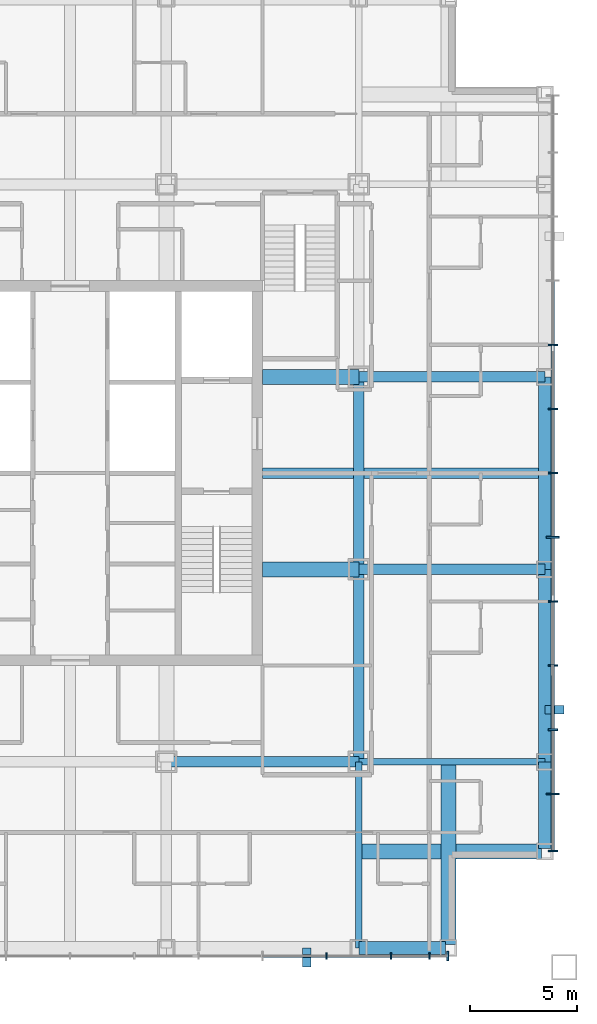
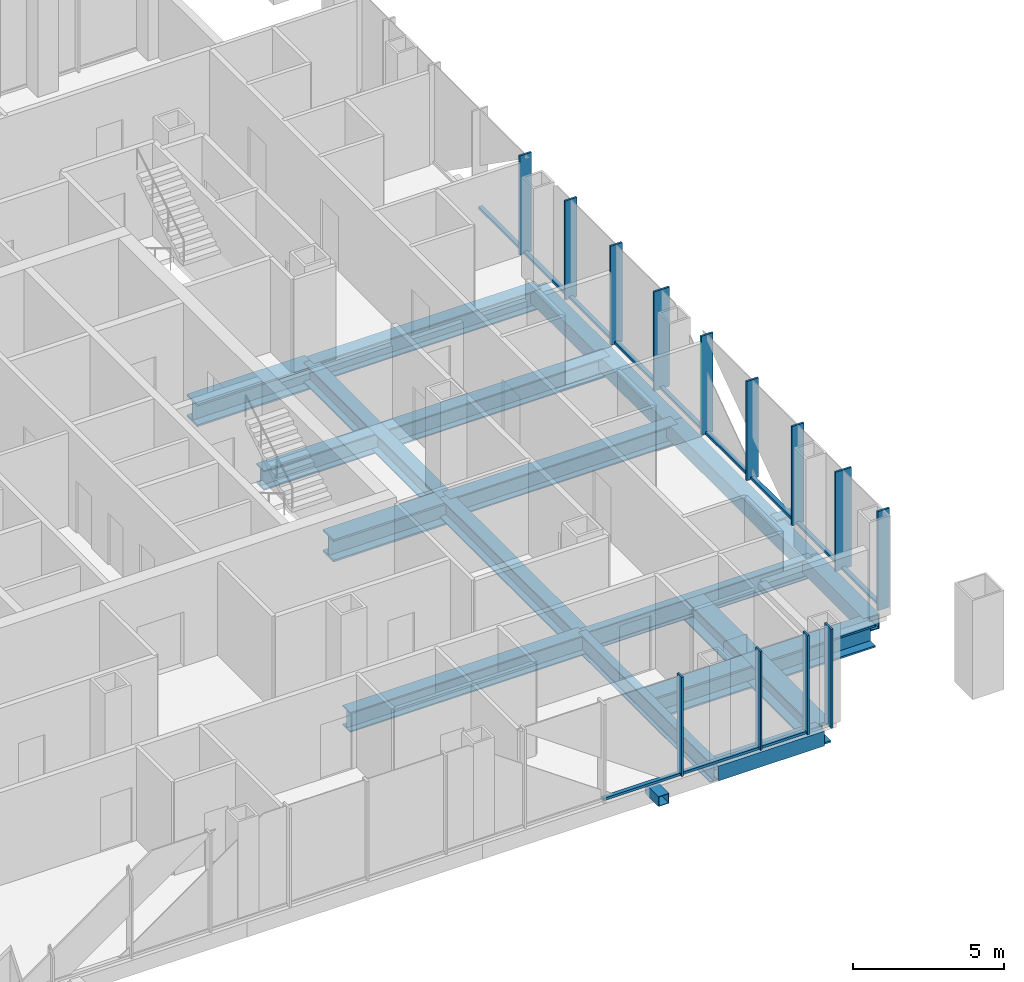
# One storey, part 3 of 17: 27 members, 16 beams, 2 elements without a shape of their own.
"""IFC4 building model written with IfcOpenShell, lengths in metres."""

from ifc_helpers import new_model, si_unit, direction, frame, origin, origin_2d, place, context, subcontext, project, spatial, rectangle, hollow_rectangle, i_section, extrude, material, layer, layer_set, material_profile, profile_set, type_object, element, aggregate, save


model = new_model("IFC4")

# Units and contexts
model_context = context("Model", 3, precision=1e-05, world=origin(), true_north=direction((0.0, 1.0)))
body_context = subcontext(model_context, "Body", "Model", "MODEL_VIEW")
ifc_project = project(units=[si_unit("LENGTHUNIT", "METRE"), si_unit("AREAUNIT", "SQUARE_METRE"), si_unit("VOLUMEUNIT", "CUBIC_METRE"), si_unit("PLANEANGLEUNIT", "RADIAN"), si_unit("MASSUNIT", "GRAM", prefix="KILO")], contexts=[model_context])

# Site, building, storey
site_placement = place(None, origin())
site = spatial("IfcSite", under=ifc_project, at=site_placement, CompositionType="ELEMENT")
building_placement = place(site_placement, origin())
building = spatial("IfcBuilding", under=site, at=building_placement, Name="Malebo Sky Hospital", CompositionType="ELEMENT")
storey_placement = place(building_placement, frame((0.0, 0.0, 185.0)))
storey = spatial("IfcBuildingStorey", under=building, at=storey_placement, Name="L44", CompositionType="ELEMENT", Elevation=185.0)

# Curtain wall, members
ifc_material_1 = material(Name="Anodised aluminium, natural silver", Category="aluminium")
ifc_layer_1 = layer(ifc_material_1, 0.25)
ifc_layer_set_1 = layer_set([ifc_layer_1], Name="WARD CURTAIN WALL NORTH AND SOUTH")
curtain_wall_type_1 = type_object("IfcCurtainWallType", Name="WARD CURTAIN WALL NORTH AND SOUTH", PredefinedType="NOTDEFINED", material=ifc_layer_set_1)
curtain_wall_1_placement = place(storey_placement, origin())
curtain_wall_1 = element("IfcCurtainWall", 1, at=curtain_wall_1_placement, inside=storey, type_object=curtain_wall_type_1, Name="NS curtain wall S", PredefinedType="NOTDEFINED")
ifc_material_profile_1 = material_profile(ifc_material_1, rectangle(XDim=0.14990234375, YDim=0.10009765625, at=origin_2d()), Name="ALUMINIUM TRANSOM 150x100")
ifc_profile_set_1 = profile_set([ifc_material_profile_1], Name="Anodised aluminium, natural silver")
member_type_1 = type_object("IfcMemberType", Name="ALUMINIUM TRANSOM 150x100", PredefinedType="USERDEFINED", material=ifc_profile_set_1)
member_1_placement = place(storey_placement, frame((76.762451171875, 39.425048828125, 0.050048828125), z_axis=(-1.0, 0.0, 0.0), x_axis=(0.0, -1.0, 0.0)))
member_1 = element("IfcMember", 2, at=member_1_placement, type_object=member_type_1, Name="Transom 2", ObjectType="TRANSOM", PredefinedType="USERDEFINED", context=body_context, shape_type="SweptSolid", body=[
    extrude(rectangle(XDim=0.14990234375, YDim=0.10009765625, at=origin_2d()), origin(), (0.0, 0.0, 1.0), 1.724853515625),
])
member_2_placement = place(storey_placement, frame((74.96240234375, 39.425048828125, 0.050048828125), z_axis=(-1.0, 0.0, 0.0), x_axis=(0.0, -1.0, 0.0)))
member_2 = element("IfcMember", 3, at=member_2_placement, type_object=member_type_1, Name="Transom 3", ObjectType="TRANSOM", PredefinedType="USERDEFINED", context=body_context, shape_type="SweptSolid", body=[
    extrude(rectangle(XDim=0.14990234375, YDim=0.10009765625, at=origin_2d()), origin(), (0.0, 0.0, 1.0), 2.9248046875),
])
member_3_placement = place(storey_placement, frame((71.96240234375, 39.425048828125, 0.050048828125), z_axis=(-1.0, 0.0, 0.0), x_axis=(0.0, -1.0, 0.0)))
member_3 = element("IfcMember", 4, at=member_3_placement, type_object=member_type_1, Name="Transom 4", ObjectType="TRANSOM", PredefinedType="USERDEFINED", context=body_context, shape_type="SweptSolid", body=[
    extrude(rectangle(XDim=0.14990234375, YDim=0.10009765625, at=origin_2d()), origin(), (0.0, 0.0, 1.0), 2.9248046875),
])

ifc_layer_2 = layer(ifc_material_1, 0.25)
ifc_layer_set_2 = layer_set([ifc_layer_2], Name="WARD CURTAIN WALL EAST AND WEST")
curtain_wall_type_2 = type_object("IfcCurtainWallType", Name="WARD CURTAIN WALL EAST AND WEST", PredefinedType="NOTDEFINED", material=ifc_layer_set_2)
curtain_wall_2_placement = place(storey_placement, origin())
curtain_wall_2 = element("IfcCurtainWall", 5, at=curtain_wall_2_placement, inside=storey, type_object=curtain_wall_type_2, Name="EW curtain wall E", PredefinedType="NOTDEFINED")
member_4_placement = place(storey_placement, frame((82.574951171875, 70.96240234375, 0.050048828125), z_axis=(0.0, -1.0, 0.0), x_axis=(1.0, 0.0, 0.0)))
member_4 = element("IfcMember", 6, at=member_4_placement, type_object=member_type_1, Name="Transom 5", ObjectType="TRANSOM", PredefinedType="USERDEFINED", context=body_context, shape_type="SweptSolid", body=[
    extrude(rectangle(XDim=0.14990234375, YDim=0.10009765625, at=origin_2d()), origin(), (0.0, 0.0, 1.0), 2.9248046875),
])
member_5_placement = place(storey_placement, frame((82.574951171875, 67.96240234375, 0.050048828125), z_axis=(0.0, -1.0, 0.0), x_axis=(1.0, 0.0, 0.0)))
member_5 = element("IfcMember", 7, at=member_5_placement, type_object=member_type_1, Name="Transom 6", ObjectType="TRANSOM", PredefinedType="USERDEFINED", context=body_context, shape_type="SweptSolid", body=[
    extrude(rectangle(XDim=0.14990234375, YDim=0.10009765625, at=origin_2d()), origin(), (0.0, 0.0, 1.0), 2.9248046875),
])
member_6_placement = place(storey_placement, frame((82.574951171875, 64.96240234375, 0.050048828125), z_axis=(0.0, -1.0, 0.0), x_axis=(1.0, 0.0, 0.0)))
member_6 = element("IfcMember", 8, at=member_6_placement, type_object=member_type_1, Name="Transom 7", ObjectType="TRANSOM", PredefinedType="USERDEFINED", context=body_context, shape_type="SweptSolid", body=[
    extrude(rectangle(XDim=0.14990234375, YDim=0.10009765625, at=origin_2d()), origin(), (0.0, 0.0, 1.0), 2.9248046875),
])
member_7_placement = place(storey_placement, frame((82.574951171875, 61.96240234375, 0.050048828125), z_axis=(0.0, -1.0, 0.0), x_axis=(1.0, 0.0, 0.0)))
member_7 = element("IfcMember", 9, at=member_7_placement, type_object=member_type_1, Name="Transom 8", ObjectType="TRANSOM", PredefinedType="USERDEFINED", context=body_context, shape_type="SweptSolid", body=[
    extrude(rectangle(XDim=0.14990234375, YDim=0.10009765625, at=origin_2d()), origin(), (0.0, 0.0, 1.0), 2.9248046875),
])
member_8_placement = place(storey_placement, frame((82.574951171875, 58.96240234375, 0.050048828125), z_axis=(0.0, -1.0, 0.0), x_axis=(1.0, 0.0, 0.0)))
member_8 = element("IfcMember", 10, at=member_8_placement, type_object=member_type_1, Name="Transom 9", ObjectType="TRANSOM", PredefinedType="USERDEFINED", context=body_context, shape_type="SweptSolid", body=[
    extrude(rectangle(XDim=0.14990234375, YDim=0.10009765625, at=origin_2d()), origin(), (0.0, 0.0, 1.0), 2.9248046875),
])
member_9_placement = place(storey_placement, frame((82.574951171875, 55.96240234375, 0.050048828125), z_axis=(0.0, -1.0, 0.0), x_axis=(1.0, 0.0, 0.0)))
member_9 = element("IfcMember", 11, at=member_9_placement, type_object=member_type_1, Name="Transom 10", ObjectType="TRANSOM", PredefinedType="USERDEFINED", context=body_context, shape_type="SweptSolid", body=[
    extrude(rectangle(XDim=0.14990234375, YDim=0.10009765625, at=origin_2d()), origin(), (0.0, 0.0, 1.0), 2.9248046875),
])
member_10_placement = place(storey_placement, frame((82.574951171875, 52.96240234375, 0.050048828125), z_axis=(0.0, -1.0, 0.0), x_axis=(1.0, 0.0, 0.0)))
member_10 = element("IfcMember", 12, at=member_10_placement, type_object=member_type_1, Name="Transom 11", ObjectType="TRANSOM", PredefinedType="USERDEFINED", context=body_context, shape_type="SweptSolid", body=[
    extrude(rectangle(XDim=0.14990234375, YDim=0.10009765625, at=origin_2d()), origin(), (0.0, 0.0, 1.0), 2.9248046875),
])
member_11_placement = place(storey_placement, frame((82.574951171875, 49.96240234375, 0.050048828125), z_axis=(0.0, -1.0, 0.0), x_axis=(1.0, 0.0, 0.0)))
member_11 = element("IfcMember", 13, at=member_11_placement, type_object=member_type_1, Name="Transom 12", ObjectType="TRANSOM", PredefinedType="USERDEFINED", context=body_context, shape_type="SweptSolid", body=[
    extrude(rectangle(XDim=0.14990234375, YDim=0.10009765625, at=origin_2d()), origin(), (0.0, 0.0, 1.0), 2.9248046875),
])
member_12_placement = place(storey_placement, frame((82.574951171875, 46.96240234375, 0.050048828125), z_axis=(0.0, -1.0, 0.0), x_axis=(1.0, 0.0, 0.0)))
member_12 = element("IfcMember", 14, at=member_12_placement, type_object=member_type_1, Name="Transom 13", ObjectType="TRANSOM", PredefinedType="USERDEFINED", context=body_context, shape_type="SweptSolid", body=[
    extrude(rectangle(XDim=0.14990234375, YDim=0.10009765625, at=origin_2d()), origin(), (0.0, 0.0, 1.0), 2.58740234375),
])

# Members
ifc_material_2 = material(Name="Steel S355", Category="steel")
ifc_material_profile_2 = material_profile(ifc_material_2, hollow_rectangle(XDim=0.39990234375, YDim=0.39990234375, WallThickness=0.02001953125, at=origin_2d()), Name="SHS 400x20")
ifc_profile_set_2 = profile_set([ifc_material_profile_2], Name="Steel S355")
member_type_2 = type_object("IfcMemberType", Name="BRACE STRUT SHS 400x20", PredefinedType="STRUT", material=ifc_profile_set_2)
for number, where, z_axis, x_axis, name in (
    (15, (71.069580078125, 38.89990234375, -0.39990234375), (0.0, 1.0, 0.0), (-1.0, 0.0, 0.0), "Brace strut CS2 L44"),
    (16, (83.10009765625, 50.930419921875, -0.39990234375), (-1.0, 0.0, 0.0), (0.0, -1.0, 0.0), "Brace strut CE1 L44"),
):
    element("IfcMember", number, at=place(storey_placement, frame(where, z_axis=z_axis, x_axis=x_axis)), inside=storey, type_object=member_type_2, Name=name, PredefinedType="STRUT", context=body_context, shape_type="SweptSolid", body=[
        extrude(hollow_rectangle(XDim=0.39990234375, YDim=0.39990234375, WallThickness=0.02001953125, at=origin_2d()), origin(), (0.0, 0.0, 1.0), 0.900146484375),
    ])

# Member
ifc_material_profile_3 = material_profile(ifc_material_1, rectangle(XDim=0.074951171875, YDim=0.300048828125, at=origin_2d()), Name="CW1 ALUMINIUM FIN MULLION 75x300")
ifc_profile_set_3 = profile_set([ifc_material_profile_3], Name="Anodised aluminium, natural silver")
member_type_3 = type_object("IfcMemberType", Name="CW1 ALUMINIUM FIN MULLION 75x300", PredefinedType="MULLION", material=ifc_profile_set_3)
member_13_placement = place(storey_placement, frame((76.800048828125, 39.425048828125, 0.0), z_axis=(0.0, 0.0, 1.0), x_axis=(-1.0, 0.0, 0.0)))
member_13 = element("IfcMember", 17, at=member_13_placement, type_object=member_type_3, Name="Fin mullion 2", PredefinedType="MULLION", context=body_context, shape_type="SweptSolid", body=[
    extrude(rectangle(XDim=0.074951171875, YDim=0.300048828125, at=origin_2d()), origin(), (0.0, 0.0, 1.0), 4.0),
])

member_14_placement = place(storey_placement, frame((75.0, 39.425048828125, 0.0), z_axis=(0.0, 0.0, 1.0), x_axis=(-1.0, 0.0, 0.0)))
member_14 = element("IfcMember", 18, at=member_14_placement, type_object=member_type_3, Name="Fin mullion 3", PredefinedType="MULLION", context=body_context, shape_type="SweptSolid", body=[
    extrude(rectangle(XDim=0.074951171875, YDim=0.300048828125, at=origin_2d()), origin(), (0.0, 0.0, 1.0), 4.0),
])

member_15_placement = place(storey_placement, frame((72.0, 39.425048828125, 0.0), z_axis=(0.0, 0.0, 1.0), x_axis=(-1.0, 0.0, 0.0)))
member_15 = element("IfcMember", 19, at=member_15_placement, type_object=member_type_3, Name="Fin mullion 4", PredefinedType="MULLION", context=body_context, shape_type="SweptSolid", body=[
    extrude(rectangle(XDim=0.074951171875, YDim=0.300048828125, at=origin_2d()), origin(), (0.0, 0.0, 1.0), 4.0),
])

ifc_material_profile_4 = material_profile(ifc_material_1, rectangle(XDim=0.074951171875, YDim=0.449951171875, at=origin_2d()), Name="CW1 ALUMINIUM FIN MULLION 75x450")
ifc_profile_set_4 = profile_set([ifc_material_profile_4], Name="Anodised aluminium, natural silver")
member_type_4 = type_object("IfcMemberType", Name="CW1 ALUMINIUM FIN MULLION 75x450", PredefinedType="MULLION", material=ifc_profile_set_4)
member_16_placement = place(storey_placement, frame((77.66259765625, 39.425048828125, 0.0), z_axis=(0.0, 0.0, 1.0), x_axis=(-1.0, 0.0, 0.0)))
member_16 = element("IfcMember", 20, at=member_16_placement, type_object=member_type_4, Name="Fin mullion 1", PredefinedType="MULLION", context=body_context, shape_type="SweptSolid", body=[
    extrude(rectangle(XDim=0.074951171875, YDim=0.449951171875, at=origin_2d()), origin(), (0.0, 0.0, 1.0), 4.0),
])

aggregate(curtain_wall_1, [member_16, member_13, member_14, member_15, member_1, member_2, member_3])

ifc_material_profile_5 = material_profile(ifc_material_1, rectangle(XDim=0.074951171875, YDim=0.449951171875, at=origin_2d()), Name="CW2 ALUMINIUM FIN MULLION 75x450")
ifc_profile_set_5 = profile_set([ifc_material_profile_5], Name="Anodised aluminium, natural silver")
member_type_5 = type_object("IfcMemberType", Name="CW2 ALUMINIUM FIN MULLION 75x450", PredefinedType="MULLION", material=ifc_profile_set_5)
member_17_placement = place(storey_placement, frame((82.574951171875, 68.0, 0.0), z_axis=(0.0, 0.0, 1.0), x_axis=(0.0, -1.0, 0.0)))
member_17 = element("IfcMember", 21, at=member_17_placement, type_object=member_type_5, Name="Fin mullion 6", PredefinedType="MULLION", context=body_context, shape_type="SweptSolid", body=[
    extrude(rectangle(XDim=0.074951171875, YDim=0.449951171875, at=origin_2d()), origin(), (0.0, 0.0, 1.0), 4.0),
])

member_18_placement = place(storey_placement, frame((82.574951171875, 65.0, 0.0), z_axis=(0.0, 0.0, 1.0), x_axis=(0.0, -1.0, 0.0)))
member_18 = element("IfcMember", 22, at=member_18_placement, type_object=member_type_5, Name="Fin mullion 7", PredefinedType="MULLION", context=body_context, shape_type="SweptSolid", body=[
    extrude(rectangle(XDim=0.074951171875, YDim=0.449951171875, at=origin_2d()), origin(), (0.0, 0.0, 1.0), 4.0),
])

member_19_placement = place(storey_placement, frame((82.574951171875, 62.0, 0.0), z_axis=(0.0, 0.0, 1.0), x_axis=(0.0, -1.0, 0.0)))
member_19 = element("IfcMember", 23, at=member_19_placement, type_object=member_type_5, Name="Fin mullion 8", PredefinedType="MULLION", context=body_context, shape_type="SweptSolid", body=[
    extrude(rectangle(XDim=0.074951171875, YDim=0.449951171875, at=origin_2d()), origin(), (0.0, 0.0, 1.0), 4.0),
])

member_20_placement = place(storey_placement, frame((82.574951171875, 56.0, 0.0), z_axis=(0.0, 0.0, 1.0), x_axis=(0.0, -1.0, 0.0)))
member_20 = element("IfcMember", 24, at=member_20_placement, type_object=member_type_5, Name="Fin mullion 10", PredefinedType="MULLION", context=body_context, shape_type="SweptSolid", body=[
    extrude(rectangle(XDim=0.074951171875, YDim=0.449951171875, at=origin_2d()), origin(), (0.0, 0.0, 1.0), 4.0),
])

member_21_placement = place(storey_placement, frame((82.574951171875, 53.0, 0.0), z_axis=(0.0, 0.0, 1.0), x_axis=(0.0, -1.0, 0.0)))
member_21 = element("IfcMember", 25, at=member_21_placement, type_object=member_type_5, Name="Fin mullion 11", PredefinedType="MULLION", context=body_context, shape_type="SweptSolid", body=[
    extrude(rectangle(XDim=0.074951171875, YDim=0.449951171875, at=origin_2d()), origin(), (0.0, 0.0, 1.0), 4.0),
])

member_22_placement = place(storey_placement, frame((82.574951171875, 50.0, 0.0), z_axis=(0.0, 0.0, 1.0), x_axis=(0.0, -1.0, 0.0)))
member_22 = element("IfcMember", 26, at=member_22_placement, type_object=member_type_5, Name="Fin mullion 12", PredefinedType="MULLION", context=body_context, shape_type="SweptSolid", body=[
    extrude(rectangle(XDim=0.074951171875, YDim=0.449951171875, at=origin_2d()), origin(), (0.0, 0.0, 1.0), 4.0),
])

member_23_placement = place(storey_placement, frame((82.574951171875, 44.33740234375, 0.0), z_axis=(0.0, 0.0, 1.0), x_axis=(0.0, -1.0, 0.0)))
member_23 = element("IfcMember", 27, at=member_23_placement, type_object=member_type_5, Name="Fin mullion 14", PredefinedType="MULLION", context=body_context, shape_type="SweptSolid", body=[
    extrude(rectangle(XDim=0.074951171875, YDim=0.449951171875, at=origin_2d()), origin(), (0.0, 0.0, 1.0), 4.0),
])

ifc_material_profile_6 = material_profile(ifc_material_1, rectangle(XDim=0.074951171875, YDim=0.60009765625, at=origin_2d()), Name="CW2 ALUMINIUM FIN MULLION 75x600")
ifc_profile_set_6 = profile_set([ifc_material_profile_6], Name="Anodised aluminium, natural silver")
member_type_6 = type_object("IfcMemberType", Name="CW2 ALUMINIUM FIN MULLION 75x600", PredefinedType="MULLION", material=ifc_profile_set_6)
member_24_placement = place(storey_placement, frame((82.574951171875, 59.0, 0.0), z_axis=(0.0, 0.0, 1.0), x_axis=(0.0, -1.0, 0.0)))
member_24 = element("IfcMember", 28, at=member_24_placement, type_object=member_type_6, Name="Fin mullion 9", PredefinedType="MULLION", context=body_context, shape_type="SweptSolid", body=[
    extrude(rectangle(XDim=0.074951171875, YDim=0.60009765625, at=origin_2d()), origin(), (0.0, 0.0, 1.0), 4.0),
])

member_25_placement = place(storey_placement, frame((82.574951171875, 47.0, 0.0), z_axis=(0.0, 0.0, 1.0), x_axis=(0.0, -1.0, 0.0)))
member_25 = element("IfcMember", 29, at=member_25_placement, type_object=member_type_6, Name="Fin mullion 13", PredefinedType="MULLION", context=body_context, shape_type="SweptSolid", body=[
    extrude(rectangle(XDim=0.074951171875, YDim=0.60009765625, at=origin_2d()), origin(), (0.0, 0.0, 1.0), 4.0),
])

aggregate(curtain_wall_2, [member_17, member_18, member_19, member_24, member_20, member_21, member_22, member_25, member_23, member_4, member_5, member_6, member_7, member_8, member_9, member_10, member_11, member_12])

# Beams
ifc_material_3 = material(Name="Steel S460", Category="steel")
ifc_material_profile_7 = material_profile(ifc_material_3, hollow_rectangle(XDim=0.60009765625, YDim=0.60009765625, WallThickness=0.0400390625, at=origin_2d()), Name="BOX 600x600x40")
ifc_profile_set_7 = profile_set([ifc_material_profile_7], Name="Steel S460")
beam_type_1 = type_object("IfcBeamType", Name="EDGE BEAM BOX 600x600x40", PredefinedType="BEAM", material=ifc_profile_set_7)
beam_1_placement = place(storey_placement, frame((82.199951171875, 44.449951171875, -0.550048828125), z_axis=(0.0, 1.0, 0.0), x_axis=(-1.0, 0.0, 0.0)))
element("IfcBeam", 30, at=beam_1_placement, inside=storey, type_object=beam_type_1, Name="Beam 029 L44", PredefinedType="BEAM", context=body_context, shape_type="SweptSolid", body=[
    extrude(hollow_rectangle(XDim=0.60009765625, YDim=0.60009765625, WallThickness=0.0400390625, at=origin_2d()), origin(), (0.0, 0.0, 1.0), 4.050048828125),
])
for number, where, z_axis, x_axis, name in (
    (31, (82.199951171875, 48.5, -0.550048828125), (0.0, 1.0, 0.0), (-1.0, 0.0, 0.0), "Beam 030 L44"),
    (32, (82.199951171875, 57.5, -0.550048828125), (0.0, 1.0, 0.0), (-1.0, 0.0, 0.0), "Beam 031 L44"),
):
    element("IfcBeam", number, at=place(storey_placement, frame(where, z_axis=z_axis, x_axis=x_axis)), inside=storey, type_object=beam_type_1, Name=name, PredefinedType="BEAM", context=body_context, shape_type="SweptSolid", body=[
        extrude(hollow_rectangle(XDim=0.60009765625, YDim=0.60009765625, WallThickness=0.0400390625, at=origin_2d()), origin(), (0.0, 0.0, 1.0), 9.0),
    ])
beam_2_placement = place(storey_placement, frame((73.5, 39.800048828125, -0.550048828125), z_axis=(1.0, 0.0, 0.0), x_axis=(0.0, 1.0, 0.0)))
element("IfcBeam", 33, at=beam_2_placement, inside=storey, type_object=beam_type_1, Name="Beam 038 L44", PredefinedType="BEAM", context=body_context, shape_type="SweptSolid", body=[
    extrude(hollow_rectangle(XDim=0.60009765625, YDim=0.60009765625, WallThickness=0.0400390625, at=origin_2d()), origin(), (0.0, 0.0, 1.0), 4.050048828125),
])
ifc_material_profile_8 = material_profile(ifc_material_2, i_section(OverallWidth=0.5, OverallDepth=0.800048828125, WebThickness=0.030029296875, FlangeThickness=0.050048828125, at=origin_2d()), Name="PG 800x500x30x50")
ifc_profile_set_8 = profile_set([ifc_material_profile_8], Name="Steel S355")
beam_type_2 = type_object("IfcBeamType", Name="FLOOR BEAM PG 800x500x30x50", PredefinedType="BEAM", material=ifc_profile_set_8)
for number, where, z_axis, x_axis, name in (
    (34, (73.5, 48.5, -0.64990234375), (0.0, 1.0, 0.0), (-1.0, 0.0, 0.0), "Beam 023 L44"),
    (35, (64.5, 48.5, -0.64990234375), (1.0, 0.0, 0.0), (0.0, 1.0, 0.0), "Beam 044 L44"),
):
    element("IfcBeam", number, at=place(storey_placement, frame(where, z_axis=z_axis, x_axis=x_axis)), inside=storey, type_object=beam_type_2, Name=name, PredefinedType="BEAM", context=body_context, shape_type="SweptSolid", body=[
        extrude(i_section(OverallWidth=0.5, OverallDepth=0.800048828125, WebThickness=0.030029296875, FlangeThickness=0.050048828125, at=origin_2d()), origin(), (0.0, 0.0, 1.0), 9.0),
    ])
beam_3_placement = place(storey_placement, frame((73.5, 57.5, -0.64990234375), z_axis=(1.0, 0.0, 0.0), x_axis=(0.0, 1.0, 0.0)))
element("IfcBeam", 36, at=beam_3_placement, inside=storey, type_object=beam_type_2, Name="Beam 049 L44", PredefinedType="BEAM", context=body_context, shape_type="SweptSolid", body=[
    extrude(i_section(OverallWidth=0.5, OverallDepth=0.800048828125, WebThickness=0.030029296875, FlangeThickness=0.050048828125, at=origin_2d()), origin(), (0.0, 0.0, 1.0), 8.699951171875),
])
beam_4_placement = place(storey_placement, frame((69.0, 62.0, -0.64990234375), z_axis=(1.0, 0.0, 0.0), x_axis=(0.0, 1.0, 0.0)))
element("IfcBeam", 37, at=beam_4_placement, inside=storey, type_object=beam_type_2, Name="Beam 051 L44", PredefinedType="BEAM", context=body_context, shape_type="SweptSolid", body=[
    extrude(i_section(OverallWidth=0.5, OverallDepth=0.800048828125, WebThickness=0.030029296875, FlangeThickness=0.050048828125, at=origin_2d()), origin(), (0.0, 0.0, 1.0), 13.199951171875),
])
beam_5_placement = place(storey_placement, frame((73.5, 66.5, -0.64990234375), z_axis=(1.0, 0.0, 0.0), x_axis=(0.0, 1.0, 0.0)))
element("IfcBeam", 38, at=beam_5_placement, inside=storey, type_object=beam_type_2, Name="Beam 055 L44", PredefinedType="BEAM", context=body_context, shape_type="SweptSolid", body=[
    extrude(i_section(OverallWidth=0.5, OverallDepth=0.800048828125, WebThickness=0.030029296875, FlangeThickness=0.050048828125, at=origin_2d()), origin(), (0.0, 0.0, 1.0), 8.699951171875),
])
ifc_material_profile_9 = material_profile(ifc_material_2, i_section(OverallWidth=0.699951171875, OverallDepth=0.89990234375, WebThickness=0.0400390625, FlangeThickness=0.070068359375, at=origin_2d()), Name="PG 900x700x40x70")
ifc_profile_set_9 = profile_set([ifc_material_profile_9], Name="Steel S355")
beam_type_3 = type_object("IfcBeamType", Name="FLOOR BEAM PG 900x700x40x70", PredefinedType="BEAM", material=ifc_profile_set_9)
for number, where, z_axis, x_axis, name in (
    (39, (77.699951171875, 39.949951171875, -0.699951171875), (0.0, 1.0, 0.0), (-1.0, 0.0, 0.0), "Beam 027 L44"),
    (40, (73.5, 44.300048828125, -0.699951171875), (1.0, 0.0, 0.0), (0.0, 1.0, 0.0), "Beam 040 L44"),
):
    element("IfcBeam", number, at=place(storey_placement, frame(where, z_axis=z_axis, x_axis=x_axis)), inside=storey, type_object=beam_type_3, Name=name, PredefinedType="BEAM", context=body_context, shape_type="SweptSolid", body=[
        extrude(i_section(OverallWidth=0.699951171875, OverallDepth=0.89990234375, WebThickness=0.0400390625, FlangeThickness=0.070068359375, at=origin_2d()), origin(), (0.0, 0.0, 1.0), 8.550048828125),
    ])
for number, where, z_axis, x_axis, name in (
    (41, (69.0, 57.5, -0.699951171875), (1.0, 0.0, 0.0), (0.0, 1.0, 0.0), "Beam 048 L44"),
    (42, (69.0, 66.5, -0.699951171875), (1.0, 0.0, 0.0), (0.0, 1.0, 0.0), "Beam 054 L44"),
):
    element("IfcBeam", number, at=place(storey_placement, frame(where, z_axis=z_axis, x_axis=x_axis)), inside=storey, type_object=beam_type_3, Name=name, PredefinedType="BEAM", context=body_context, shape_type="SweptSolid", body=[
        extrude(i_section(OverallWidth=0.699951171875, OverallDepth=0.89990234375, WebThickness=0.0400390625, FlangeThickness=0.070068359375, at=origin_2d()), origin(), (0.0, 0.0, 1.0), 4.5),
    ])
ifc_material_profile_10 = material_profile(ifc_material_2, i_section(OverallWidth=0.300048828125, OverallDepth=0.800048828125, WebThickness=0.017578125, FlangeThickness=0.032958984375, FilletRadius=0.030029296875, at=origin_2d()), Name="HEB 800")
ifc_profile_set_10 = profile_set([ifc_material_profile_10], Name="Steel S355")
beam_type_4 = type_object("IfcBeamType", Name="FLOOR GIRDER HEB 800", PredefinedType="BEAM", material=ifc_profile_set_10)
for number, where, z_axis, x_axis, name in (
    (43, (73.5, 39.800048828125, -0.64990234375), (0.0, 1.0, 0.0), (-1.0, 0.0, 0.0), "Beam 022 L44"),
    (44, (73.5, 48.5, -0.64990234375), (1.0, 0.0, 0.0), (0.0, 1.0, 0.0), "Beam 045 L44"),
):
    element("IfcBeam", number, at=place(storey_placement, frame(where, z_axis=z_axis, x_axis=x_axis)), inside=storey, type_object=beam_type_4, Name=name, PredefinedType="BEAM", context=body_context, shape_type="SweptSolid", body=[
        extrude(i_section(OverallWidth=0.300048828125, OverallDepth=0.800048828125, WebThickness=0.017578125, FlangeThickness=0.032958984375, FilletRadius=0.030029296875, at=origin_2d()), origin(), (0.0, 0.0, 1.0), 8.699951171875),
    ])
ifc_material_profile_11 = material_profile(ifc_material_2, i_section(OverallWidth=0.5, OverallDepth=0.800048828125, WebThickness=0.030029296875, FlangeThickness=0.050048828125, at=origin_2d()), Name="PG 800x500x30x50")
ifc_profile_set_11 = profile_set([ifc_material_profile_11], Name="Steel S355")
beam_type_5 = type_object("IfcBeamType", Name="RING GIRDER PG 800x500x30x50", PredefinedType="BEAM", material=ifc_profile_set_11)
beam_6_placement = place(storey_placement, frame((73.5, 57.5, -0.64990234375), z_axis=(0.0, 1.0, 0.0), x_axis=(-1.0, 0.0, 0.0)))
element("IfcBeam", 45, at=beam_6_placement, inside=storey, type_object=beam_type_5, Name="Beam 024 L44", PredefinedType="BEAM", context=body_context, shape_type="SweptSolid", body=[
    extrude(i_section(OverallWidth=0.5, OverallDepth=0.800048828125, WebThickness=0.030029296875, FlangeThickness=0.050048828125, at=origin_2d()), origin(), (0.0, 0.0, 1.0), 9.0),
])

save(model, "model.ifc")
